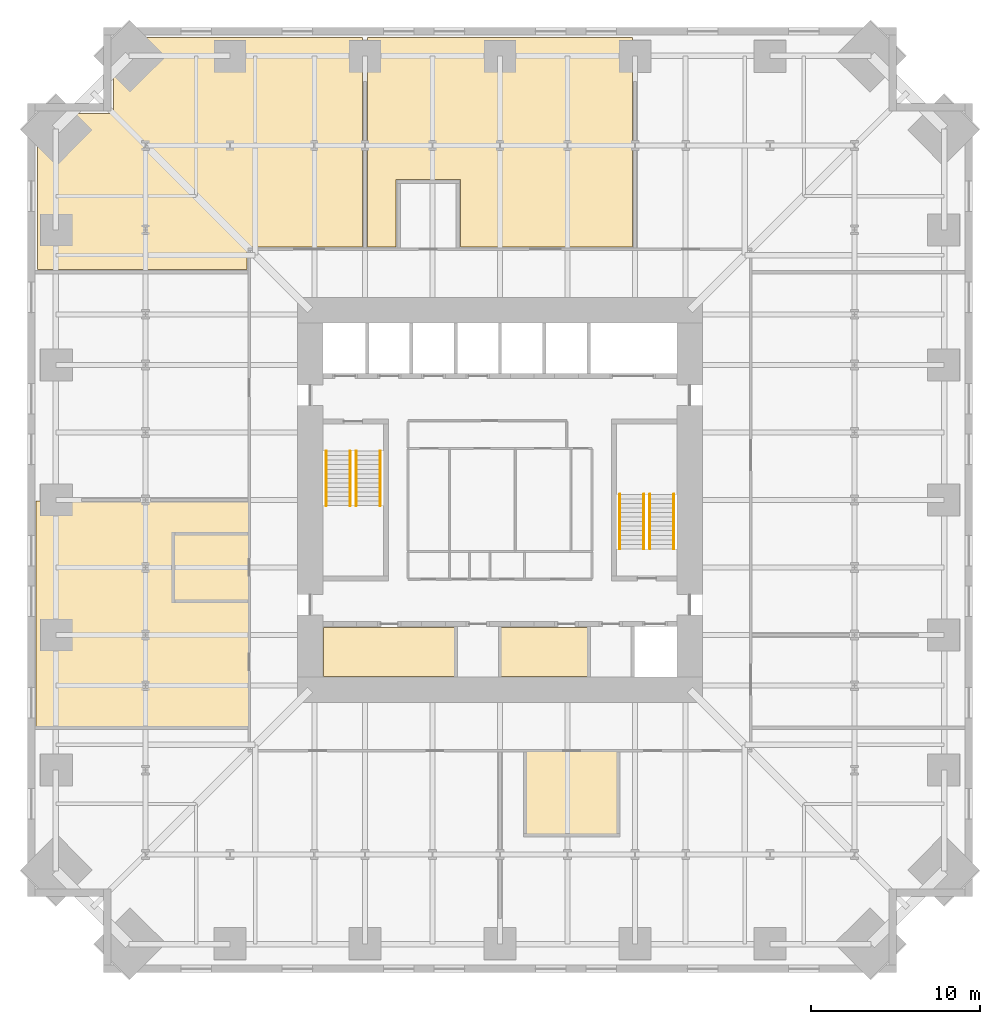
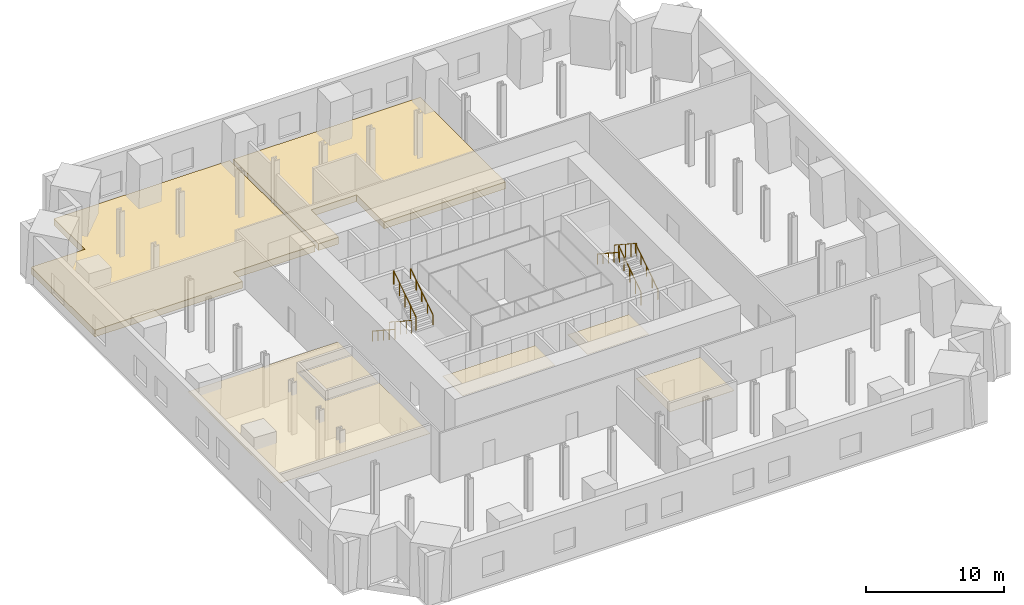
# One storey, part 8 of 8: 8 railings, 7 coverings.
"""IFC4 building model written with IfcOpenShell, lengths in metres."""

from ifc_helpers import new_model, si_unit, direction, frame, origin, origin_2d, place, context, subcontext, project, spatial, polyline, circle, outline, extrude, material, layer, layer_set, type_object, element, save


model = new_model("IFC4")

# Units and contexts
model_context = context("Model", 3, precision=1e-05, world=origin(), true_north=direction((0.0, 1.0)))
body_context = subcontext(model_context, "Body", "Model", "MODEL_VIEW")
ifc_project = project(units=[si_unit("LENGTHUNIT", "METRE"), si_unit("AREAUNIT", "SQUARE_METRE"), si_unit("VOLUMEUNIT", "CUBIC_METRE"), si_unit("PLANEANGLEUNIT", "RADIAN"), si_unit("MASSUNIT", "GRAM", prefix="KILO")], contexts=[model_context])

# Site, building, storey
site_placement = place(None, origin())
site = spatial("IfcSite", under=ifc_project, at=site_placement, CompositionType="ELEMENT")
building_placement = place(site_placement, origin())
building = spatial("IfcBuilding", under=site, at=building_placement, Name="Peilmerk Tower", CompositionType="ELEMENT")
storey_placement = place(building_placement, frame((0.0, 0.0, 113.60009765625)))
storey = spatial("IfcBuildingStorey", under=building, at=storey_placement, Name="L22", CompositionType="ELEMENT", Elevation=113.60009765625)

# Coverings
ifc_material_1 = material(Name="Mineral fibre ceiling tiles", Category="mineral")
ifc_layer_1 = layer(ifc_material_1, 0.02490234375)
ifc_layer_set_1 = layer_set([ifc_layer_1], Name="Mineral fibre ceiling tiles")
covering_type_1 = type_object("IfcCoveringType", Name="CL1 25 suspended ceiling", PredefinedType="CEILING", material=ifc_layer_set_1)
covering_1_placement = place(storey_placement, frame((0.0, 0.0, 3.474853515625)))
element("IfcCovering", 1, at=covering_1_placement, inside=storey, type_object=covering_type_1, Name="Suspended ceiling Operations office", PredefinedType="CEILING", context=body_context, shape_type="SweptSolid", body=[
    extrude(outline(polyline([(6.949951171875, -19.800048828125), (6.949951171875, -14.89990234375), (1.550048828125, -14.89990234375), (1.550048828125, -19.800048828125), (6.949951171875, -19.800048828125)])), origin(), (0.0, 0.0, 1.0), 0.025146484375),
])
covering_2_placement = place(storey_placement, frame((0.0, 0.0, 3.474853515625)))
element("IfcCovering", 2, at=covering_2_placement, inside=storey, type_object=covering_type_1, Name="Suspended ceiling Engineering office", PredefinedType="CEILING", context=body_context, shape_type="SweptSolid", body=[
    extrude(outline(polyline([(-14.89990234375, -0.050048828125), (-27.5, -0.050048828125), (-27.5, -13.449951171875), (-14.89990234375, -13.449951171875), (-14.89990234375, -6.050048828125), (-19.39990234375, -6.050048828125), (-19.39990234375, -1.949951171875), (-14.89990234375, -1.949951171875), (-14.89990234375, -0.050048828125)])), origin(), (0.0, 0.0, 1.0), 0.025146484375),
])
covering_3_placement = place(storey_placement, frame((0.0, 0.0, 3.474853515625)))
element("IfcCovering", 3, at=covering_3_placement, inside=storey, type_object=covering_type_1, Name="Suspended ceiling Meeting room", PredefinedType="CEILING", context=body_context, shape_type="SweptSolid", body=[
    extrude(outline(polyline([(-14.89990234375, -5.949951171875), (-14.89990234375, -2.050048828125), (-19.300048828125, -2.050048828125), (-19.300048828125, -5.949951171875), (-14.89990234375, -5.949951171875)])), origin(), (0.0, 0.0, 1.0), 0.025146484375),
])
covering_4_placement = place(storey_placement, frame((0.0, 0.0, 3.4248046875)))
element("IfcCovering", 4, at=covering_4_placement, inside=storey, type_object=covering_type_1, Name="Suspended ceiling Back-of-house office", PredefinedType="CEILING", context=body_context, shape_type="SweptSolid", body=[
    extrude(outline(polyline([(-10.448974609375, -10.448974609375), (-2.676025390625, -10.448974609375), (-2.676025390625, -7.551025390625), (-10.448974609375, -7.551025390625), (-10.448974609375, -10.448974609375)])), origin(), (0.0, 0.0, 1.0), 0.025146484375),
])
covering_5_placement = place(storey_placement, frame((0.0, 0.0, 3.4248046875)))
element("IfcCovering", 5, at=covering_5_placement, inside=storey, type_object=covering_type_1, Name="Suspended ceiling Pantry", PredefinedType="CEILING", context=body_context, shape_type="SweptSolid", body=[
    extrude(outline(polyline([(0.051025390625, -10.448974609375), (5.198974609375, -10.448974609375), (5.198974609375, -7.551025390625), (0.051025390625, -7.551025390625), (0.051025390625, -10.448974609375)])), origin(), (0.0, 0.0, 1.0), 0.025146484375),
])

# Railings
ifc_material_2 = material(Name="Steel flat bar balustrade", Category="steel")
railing_type_1 = type_object("IfcRailingType", Name="GR1 1200 stair guard", PredefinedType="GUARDRAIL", material=ifc_material_2)
railing_1_placement = place(storey_placement, frame((-8.8798828125, 2.89990234375, 0.1767578125)))
element("IfcRailing", 6, at=railing_1_placement, inside=storey, type_object=railing_type_1, Name="Guard stair 1 L22", PredefinedType="GUARDRAIL", context=body_context, shape_type="SweptSolid", body=[
    extrude(circle(Radius=0.02392578125, at=origin_2d()), frame((0.0, 0.0, 1.17578125), z_axis=(0.0, -0.836426258751, 0.548079477514), x_axis=(1.0, 0.0, 0.0)), (0.0, 0.0, 1.0), 3.87353515625),
    extrude(circle(Radius=0.02099609375, at=origin_2d()), origin(), (0.0, 0.0, 1.0), 1.15185546875),
    extrude(circle(Radius=0.02099609375, at=origin_2d()), frame((0.0, -0.81005859375, 0.53076171875)), (0.0, 0.0, 1.0), 1.15185546875),
    extrude(circle(Radius=0.02099609375, at=origin_2d()), frame((0.0, -1.6201171875, 1.0615234375)), (0.0, 0.0, 1.0), 1.15185546875),
    extrude(circle(Radius=0.02099609375, at=origin_2d()), frame((0.0, -2.429931640625, 1.59228515625)), (0.0, 0.0, 1.0), 1.15185546875),
    extrude(circle(Radius=0.02099609375, at=origin_2d()), frame((0.0, -3.239990234375, 2.123046875)), (0.0, 0.0, 1.0), 1.15185546875),
])
for number, where, name in (
    (7, (-8.52001953125, -0.340087890625, 2.476806640625), "Guard stair 1 L22"),
    (8, (8.8798828125, -2.89990234375, 0.1767578125), "Guard stair 2 L22"),
):
    element("IfcRailing", number, at=place(storey_placement, frame(where)), inside=storey, type_object=railing_type_1, Name=name, PredefinedType="GUARDRAIL", context=body_context, shape_type="SweptSolid", body=[
        extrude(circle(Radius=0.02392578125, at=origin_2d()), frame((0.0, 0.0, 1.17578125), z_axis=(0.0, 0.836426258751, 0.548079477514), x_axis=(-1.0, 0.0, 0.0)), (0.0, 0.0, 1.0), 3.87353515625),
        extrude(circle(Radius=0.02099609375, at=origin_2d()), origin(), (0.0, 0.0, 1.0), 1.15185546875),
        extrude(circle(Radius=0.02099609375, at=origin_2d()), frame((0.0, 0.81005859375, 0.53076171875)), (0.0, 0.0, 1.0), 1.15185546875),
        extrude(circle(Radius=0.02099609375, at=origin_2d()), frame((0.0, 1.6201171875, 1.0615234375)), (0.0, 0.0, 1.0), 1.15185546875),
        extrude(circle(Radius=0.02099609375, at=origin_2d()), frame((0.0, 2.429931640625, 1.59228515625)), (0.0, 0.0, 1.0), 1.15185546875),
        extrude(circle(Radius=0.02099609375, at=origin_2d()), frame((0.0, 3.239990234375, 2.123046875)), (0.0, 0.0, 1.0), 1.15185546875),
    ])
railing_2_placement = place(storey_placement, frame((8.52001953125, 0.340087890625, 2.476806640625)))
element("IfcRailing", 9, at=railing_2_placement, inside=storey, type_object=railing_type_1, Name="Guard stair 2 L22", PredefinedType="GUARDRAIL", context=body_context, shape_type="SweptSolid", body=[
    extrude(circle(Radius=0.02392578125, at=origin_2d()), frame((0.0, 0.0, 1.17578125), z_axis=(0.0, -0.836426258751, 0.548079477514), x_axis=(1.0, 0.0, 0.0)), (0.0, 0.0, 1.0), 3.87353515625),
    extrude(circle(Radius=0.02099609375, at=origin_2d()), origin(), (0.0, 0.0, 1.0), 1.15185546875),
    extrude(circle(Radius=0.02099609375, at=origin_2d()), frame((0.0, -0.81005859375, 0.53076171875)), (0.0, 0.0, 1.0), 1.15185546875),
    extrude(circle(Radius=0.02099609375, at=origin_2d()), frame((0.0, -1.6201171875, 1.0615234375)), (0.0, 0.0, 1.0), 1.15185546875),
    extrude(circle(Radius=0.02099609375, at=origin_2d()), frame((0.0, -2.429931640625, 1.59228515625)), (0.0, 0.0, 1.0), 1.15185546875),
    extrude(circle(Radius=0.02099609375, at=origin_2d()), frame((0.0, -3.239990234375, 2.123046875)), (0.0, 0.0, 1.0), 1.15185546875),
])
ifc_material_3 = material(Name="Stainless steel tube", Category="steel")
railing_type_2 = type_object("IfcRailingType", Name="HR1 900 stair handrail", PredefinedType="HANDRAIL", material=ifc_material_3)
railing_3_placement = place(storey_placement, frame((-10.300048828125, 2.89990234375, 0.1767578125)))
element("IfcRailing", 10, at=railing_3_placement, inside=storey, type_object=railing_type_2, Name="Handrail stair 1 L22", PredefinedType="HANDRAIL", context=body_context, shape_type="SweptSolid", body=[
    extrude(circle(Radius=0.02392578125, at=origin_2d()), frame((0.0, 0.0, 0.8759765625), z_axis=(0.0, -0.836426258751, 0.548079477514), x_axis=(1.0, 0.0, 0.0)), (0.0, 0.0, 1.0), 3.87353515625),
    extrude(circle(Radius=0.02099609375, at=origin_2d()), origin(), (0.0, 0.0, 1.0), 0.851806640625),
    extrude(circle(Radius=0.02099609375, at=origin_2d()), frame((0.0, -0.81005859375, 0.53076171875)), (0.0, 0.0, 1.0), 0.851806640625),
    extrude(circle(Radius=0.02099609375, at=origin_2d()), frame((0.0, -1.6201171875, 1.0615234375)), (0.0, 0.0, 1.0), 0.851806640625),
    extrude(circle(Radius=0.02099609375, at=origin_2d()), frame((0.0, -2.429931640625, 1.59228515625)), (0.0, 0.0, 1.0), 0.851806640625),
    extrude(circle(Radius=0.02099609375, at=origin_2d()), frame((0.0, -3.239990234375, 2.123046875)), (0.0, 0.0, 1.0), 0.851806640625),
])
for number, where, name in (
    (11, (-7.10009765625, -0.340087890625, 2.476806640625), "Handrail stair 1 L22"),
    (12, (10.300048828125, -2.89990234375, 0.1767578125), "Handrail stair 2 L22"),
):
    element("IfcRailing", number, at=place(storey_placement, frame(where)), inside=storey, type_object=railing_type_2, Name=name, PredefinedType="HANDRAIL", context=body_context, shape_type="SweptSolid", body=[
        extrude(circle(Radius=0.02392578125, at=origin_2d()), frame((0.0, 0.0, 0.8759765625), z_axis=(0.0, 0.836426258751, 0.548079477514), x_axis=(-1.0, 0.0, 0.0)), (0.0, 0.0, 1.0), 3.87353515625),
        extrude(circle(Radius=0.02099609375, at=origin_2d()), origin(), (0.0, 0.0, 1.0), 0.851806640625),
        extrude(circle(Radius=0.02099609375, at=origin_2d()), frame((0.0, 0.81005859375, 0.53076171875)), (0.0, 0.0, 1.0), 0.851806640625),
        extrude(circle(Radius=0.02099609375, at=origin_2d()), frame((0.0, 1.6201171875, 1.0615234375)), (0.0, 0.0, 1.0), 0.851806640625),
        extrude(circle(Radius=0.02099609375, at=origin_2d()), frame((0.0, 2.429931640625, 1.59228515625)), (0.0, 0.0, 1.0), 0.851806640625),
        extrude(circle(Radius=0.02099609375, at=origin_2d()), frame((0.0, 3.239990234375, 2.123046875)), (0.0, 0.0, 1.0), 0.851806640625),
    ])
railing_4_placement = place(storey_placement, frame((7.10009765625, 0.340087890625, 2.476806640625)))
element("IfcRailing", 13, at=railing_4_placement, inside=storey, type_object=railing_type_2, Name="Handrail stair 2 L22", PredefinedType="HANDRAIL", context=body_context, shape_type="SweptSolid", body=[
    extrude(circle(Radius=0.02392578125, at=origin_2d()), frame((0.0, 0.0, 0.8759765625), z_axis=(0.0, -0.836426258751, 0.548079477514), x_axis=(1.0, 0.0, 0.0)), (0.0, 0.0, 1.0), 3.87353515625),
    extrude(circle(Radius=0.02099609375, at=origin_2d()), origin(), (0.0, 0.0, 1.0), 0.851806640625),
    extrude(circle(Radius=0.02099609375, at=origin_2d()), frame((0.0, -0.81005859375, 0.53076171875)), (0.0, 0.0, 1.0), 0.851806640625),
    extrude(circle(Radius=0.02099609375, at=origin_2d()), frame((0.0, -1.6201171875, 1.0615234375)), (0.0, 0.0, 1.0), 0.851806640625),
    extrude(circle(Radius=0.02099609375, at=origin_2d()), frame((0.0, -2.429931640625, 1.59228515625)), (0.0, 0.0, 1.0), 0.851806640625),
    extrude(circle(Radius=0.02099609375, at=origin_2d()), frame((0.0, -3.239990234375, 2.123046875)), (0.0, 0.0, 1.0), 0.851806640625),
])

# Coverings
ifc_material_4 = material(Name="Steel raised access floor panels on pedestals", Category="steel")
ifc_layer_2 = layer(ifc_material_4, 0.60009765625)
ifc_layer_set_2 = layer_set([ifc_layer_2], Name="Steel raised access floor panels on pedestals")
covering_type_2 = type_object("IfcCoveringType", Name="RF1 600 raised access floor", PredefinedType="FLOORING", material=ifc_layer_set_2)
covering_6_placement = place(storey_placement, origin())
element("IfcCovering", 14, at=covering_6_placement, inside=storey, type_object=covering_type_2, Name="Raised access floor Mobile switching room", PredefinedType="FLOORING", context=body_context, shape_type="SweptSolid", body=[
    extrude(outline(polyline([(-27.39990234375, 22.89990234375), (-27.39990234375, 13.64990234375), (-15.0, 13.64990234375), (-15.0, 15.0), (-8.14990234375, 15.0), (-8.14990234375, 27.39990234375), (-22.89990234375, 27.39990234375), (-22.89990234375, 22.89990234375), (-27.39990234375, 22.89990234375)])), origin(), (0.0, 0.0, 1.0), 0.599853515625),
])
covering_7_placement = place(storey_placement, origin())
element("IfcCovering", 15, at=covering_7_placement, inside=storey, type_object=covering_type_2, Name="Raised access floor Transmission room", PredefinedType="FLOORING", context=body_context, shape_type="SweptSolid", body=[
    extrude(outline(polyline([(7.85009765625, 15.0), (7.85009765625, 27.39990234375), (-7.85009765625, 27.39990234375), (-7.85009765625, 15.0), (-6.14990234375, 15.0), (-6.14990234375, 19.0), (-2.35009765625, 19.0), (-2.35009765625, 15.0), (7.85009765625, 15.0)])), origin(), (0.0, 0.0, 1.0), 0.599853515625),
])

save(model, "model.ifc")
